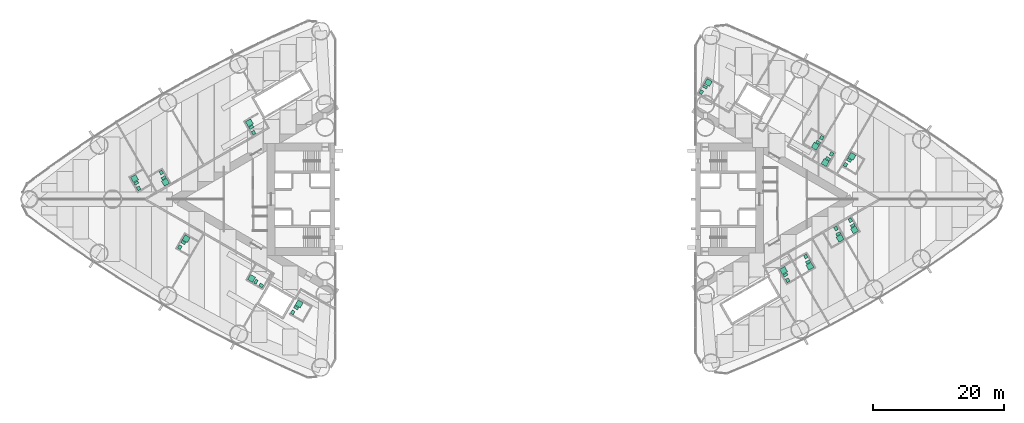
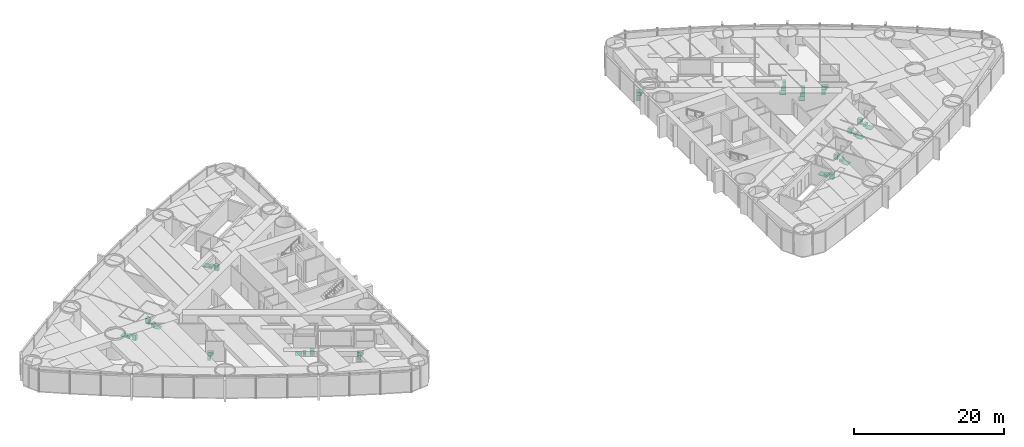
# One storey, part 19 of 19: 18 sanitary terminals.
"""IFC4 building model written with IfcOpenShell, lengths in metres."""

from ifc_helpers import new_model, si_unit, direction, frame, origin, origin_2d, place, context, subcontext, project, spatial, rectangle, extrude, material, type_object, element, save


model = new_model("IFC4")

# Units and contexts
model_context = context("Model", 3, precision=1e-05, world=origin(), true_north=direction((0.0, 1.0)))
body_context = subcontext(model_context, "Body", "Model", "MODEL_VIEW")
ifc_project = project(units=[si_unit("LENGTHUNIT", "METRE"), si_unit("AREAUNIT", "SQUARE_METRE"), si_unit("VOLUMEUNIT", "CUBIC_METRE"), si_unit("PLANEANGLEUNIT", "RADIAN"), si_unit("MASSUNIT", "GRAM", prefix="KILO")], contexts=[model_context])

# Site, building, storey
site_placement = place(None, origin())
site = spatial("IfcSite", under=ifc_project, at=site_placement, CompositionType="ELEMENT")
building_placement = place(site_placement, origin())
building = spatial("IfcBuilding", under=site, at=building_placement, Name="Lancet Gate Hotel", CompositionType="ELEMENT")
storey_placement = place(building_placement, frame((0.0, 0.0, 32.0)))
storey = spatial("IfcBuildingStorey", under=building, at=storey_placement, Name="L07", CompositionType="ELEMENT", Elevation=32.0)

# Sanitary terminals
ifc_material_1 = material(Name="Vitreous china sanitary ware")
sanitary_terminal_type_1 = type_object("IfcSanitaryTerminalType", Name="En-suite sanitary set (shower, WC, basin)", PredefinedType="USERDEFINED", material=ifc_material_1)
sanitary_terminal_1_placement = place(storey_placement, frame((-53.431396484375, 2.584716796875, 0.0), z_axis=(0.0, 0.0, 1.0), x_axis=(1.0, 0.0, 0.0)))
element("IfcSanitaryTerminal", 1, at=sanitary_terminal_1_placement, inside=storey, type_object=sanitary_terminal_type_1, Name="En-suite sanitary set (shower, WC, basin) 0703", ObjectType="EN-SUITE SANITARY SET", PredefinedType="USERDEFINED", context=body_context, shape_type="SweptSolid", body=[
    extrude(rectangle(XDim=0.89990234375, YDim=0.89990234375, at=origin_2d()), frame((0.0, 0.0, 0.0), z_axis=(0.0, 0.0, 1.0), x_axis=(0.5, -0.866025403784, 0.0)), (0.0, 0.0, 1.0), 0.050048828125),
    extrude(rectangle(XDim=0.39990234375, YDim=0.699951171875, at=origin_2d()), frame((-0.2783203125, 0.682373046875, 0.0), z_axis=(0.0, 0.0, 1.0), x_axis=(0.5, -0.866025403784, 0.0)), (0.0, 0.0, 1.0), 0.39990234375),
    extrude(rectangle(XDim=0.60009765625, YDim=0.5, at=origin_2d()), frame((-0.631591796875, 1.494384765625, 0.0), z_axis=(0.0, 0.0, 1.0), x_axis=(0.5, -0.866025403784, 0.0)), (0.0, 0.0, 1.0), 0.85009765625),
])
sanitary_terminal_2_placement = place(storey_placement, frame((-58.160888671875, 3.156494140625, 0.0), z_axis=(0.0, 0.0, 1.0), x_axis=(1.0, 0.0, 0.0)))
element("IfcSanitaryTerminal", 2, at=sanitary_terminal_2_placement, inside=storey, type_object=sanitary_terminal_type_1, Name="En-suite sanitary set (shower, WC, basin) 0704", ObjectType="EN-SUITE SANITARY SET", PredefinedType="USERDEFINED", context=body_context, shape_type="SweptSolid", body=[
    extrude(rectangle(XDim=0.89990234375, YDim=0.89990234375, at=origin_2d()), frame((0.0, 0.0, 0.0), z_axis=(0.0, 0.0, 1.0), x_axis=(-0.5, 0.866025403784, 0.0)), (0.0, 0.0, 1.0), 0.050048828125),
    extrude(rectangle(XDim=0.39990234375, YDim=0.699951171875, at=origin_2d()), frame((0.278564453125, -0.68212890625, 0.0), z_axis=(0.0, 0.0, 1.0), x_axis=(-0.5, 0.866025403784, 0.0)), (0.0, 0.0, 1.0), 0.39990234375),
    extrude(rectangle(XDim=0.60009765625, YDim=0.5, at=origin_2d()), frame((0.6318359375, -1.494140625, 0.0), z_axis=(0.0, 0.0, 1.0), x_axis=(-0.5, 0.866025403784, 0.0)), (0.0, 0.0, 1.0), 0.85009765625),
])
sanitary_terminal_3_placement = place(storey_placement, frame((-50.26171875, -6.031494140625, 0.0), z_axis=(0.0, 0.0, 1.0), x_axis=(1.0, 0.0, 0.0)))
element("IfcSanitaryTerminal", 3, at=sanitary_terminal_3_placement, inside=storey, type_object=sanitary_terminal_type_1, Name="En-suite sanitary set (shower, WC, basin) 0705", ObjectType="EN-SUITE SANITARY SET", PredefinedType="USERDEFINED", context=body_context, shape_type="SweptSolid", body=[
    extrude(rectangle(XDim=0.89990234375, YDim=0.89990234375, at=origin_2d()), frame((0.0, 0.0, 0.0), z_axis=(0.0, 0.0, 1.0), x_axis=(0.5, 0.866025403784, 0.0)), (0.0, 0.0, 1.0), 0.050048828125),
    extrude(rectangle(XDim=0.39990234375, YDim=0.699951171875, at=origin_2d()), frame((-0.451416015625, -0.58203125, 0.0), z_axis=(0.0, 0.0, 1.0), x_axis=(0.5, 0.866025403784, 0.0)), (0.0, 0.0, 1.0), 0.39990234375),
    extrude(rectangle(XDim=0.60009765625, YDim=0.5, at=origin_2d()), frame((-0.97802734375, -1.294189453125, 0.0), z_axis=(0.0, 0.0, 1.0), x_axis=(0.5, 0.866025403784, 0.0)), (0.0, 0.0, 1.0), 0.85009765625),
])
sanitary_terminal_4_placement = place(storey_placement, frame((-40.609619140625, 11.673095703125, 0.0), z_axis=(0.0, 0.0, 1.0), x_axis=(1.0, 0.0, 0.0)))
element("IfcSanitaryTerminal", 4, at=sanitary_terminal_4_placement, inside=storey, type_object=sanitary_terminal_type_1, Name="En-suite sanitary set (shower, WC, basin) 0702", ObjectType="EN-SUITE SANITARY SET", PredefinedType="USERDEFINED", context=body_context, shape_type="SweptSolid", body=[
    extrude(rectangle(XDim=0.89990234375, YDim=0.89990234375, at=origin_2d()), frame((0.0, 0.0, 0.0), z_axis=(0.0, 0.0, 1.0), x_axis=(-0.5, 0.866025403784, 0.0)), (0.0, 0.0, 1.0), 0.050048828125),
    extrude(rectangle(XDim=0.39990234375, YDim=0.699951171875, at=origin_2d()), frame((0.2783203125, -0.68212890625, 0.0), z_axis=(0.0, 0.0, 1.0), x_axis=(-0.5, 0.866025403784, 0.0)), (0.0, 0.0, 1.0), 0.39990234375),
    extrude(rectangle(XDim=0.60009765625, YDim=0.5, at=origin_2d()), frame((0.6318359375, -1.494140625, 0.0), z_axis=(0.0, 0.0, 1.0), x_axis=(-0.5, 0.866025403784, 0.0)), (0.0, 0.0, 1.0), 0.85009765625),
])
sanitary_terminal_5_placement = place(storey_placement, frame((-33.0107421875, -15.9912109375, 0.0), z_axis=(0.0, 0.0, 1.0), x_axis=(1.0, 0.0, 0.0)))
element("IfcSanitaryTerminal", 5, at=sanitary_terminal_5_placement, inside=storey, type_object=sanitary_terminal_type_1, Name="En-suite sanitary set (shower, WC, basin) 0708", ObjectType="EN-SUITE SANITARY SET", PredefinedType="USERDEFINED", context=body_context, shape_type="SweptSolid", body=[
    extrude(rectangle(XDim=0.89990234375, YDim=0.89990234375, at=origin_2d()), frame((0.0, 0.0, 0.0), z_axis=(0.0, 0.0, 1.0), x_axis=(0.5, 0.866025403784, 0.0)), (0.0, 0.0, 1.0), 0.050048828125),
    extrude(rectangle(XDim=0.39990234375, YDim=0.699951171875, at=origin_2d()), frame((-0.45166015625, -0.582275390625, 0.0), z_axis=(0.0, 0.0, 1.0), x_axis=(0.5, 0.866025403784, 0.0)), (0.0, 0.0, 1.0), 0.39990234375),
    extrude(rectangle(XDim=0.60009765625, YDim=0.5, at=origin_2d()), frame((-0.978271484375, -1.294189453125, 0.0), z_axis=(0.0, 0.0, 1.0), x_axis=(0.5, 0.866025403784, 0.0)), (0.0, 0.0, 1.0), 0.85009765625),
])
for number, where, z_axis, x_axis, name in (
    (6, (45.01220703125, -10.248046875, 0.0), (0.0, 0.0, 1.0), (1.0, 0.0, 0.0), "En-suite sanitary set (shower, WC, basin) 0754"),
    (7, (49.615966796875, -5.973388671875, 0.0), (0.0, 0.0, 1.0), (1.0, 0.0, 0.0), "En-suite sanitary set (shower, WC, basin) 0755"),
):
    element("IfcSanitaryTerminal", number, at=place(storey_placement, frame(where, z_axis=z_axis, x_axis=x_axis)), inside=storey, type_object=sanitary_terminal_type_1, Name=name, ObjectType="EN-SUITE SANITARY SET", PredefinedType="USERDEFINED", context=body_context, shape_type="SweptSolid", body=[
        extrude(rectangle(XDim=0.89990234375, YDim=0.89990234375, at=origin_2d()), frame((0.0, 0.0, 0.0), z_axis=(0.0, 0.0, 1.0), x_axis=(0.5, -0.866025403784, 0.0)), (0.0, 0.0, 1.0), 0.050048828125),
        extrude(rectangle(XDim=0.39990234375, YDim=0.699951171875, at=origin_2d()), frame((-0.278564453125, 0.68212890625, 0.0), z_axis=(0.0, 0.0, 1.0), x_axis=(0.5, -0.866025403784, 0.0)), (0.0, 0.0, 1.0), 0.39990234375),
        extrude(rectangle(XDim=0.60009765625, YDim=0.5, at=origin_2d()), frame((-0.6318359375, 1.494384765625, 0.0), z_axis=(0.0, 0.0, 1.0), x_axis=(0.5, -0.866025403784, 0.0)), (0.0, 0.0, 1.0), 0.85009765625),
    ])
sanitary_terminal_6_placement = place(storey_placement, frame((51.82421875, -4.698486328125, 0.0), z_axis=(0.0, 0.0, 1.0), x_axis=(1.0, 0.0, 0.0)))
element("IfcSanitaryTerminal", 8, at=sanitary_terminal_6_placement, inside=storey, type_object=sanitary_terminal_type_1, Name="En-suite sanitary set (shower, WC, basin) 0756", ObjectType="EN-SUITE SANITARY SET", PredefinedType="USERDEFINED", context=body_context, shape_type="SweptSolid", body=[
    extrude(rectangle(XDim=0.89990234375, YDim=0.89990234375, at=origin_2d()), frame((0.0, 0.0, 0.0), z_axis=(0.0, 0.0, 1.0), x_axis=(0.5, -0.866025403784, 0.0)), (0.0, 0.0, 1.0), 0.050048828125),
    extrude(rectangle(XDim=0.39990234375, YDim=0.699951171875, at=origin_2d()), frame((-0.2783203125, 0.682373046875, 0.0), z_axis=(0.0, 0.0, 1.0), x_axis=(0.5, -0.866025403784, 0.0)), (0.0, 0.0, 1.0), 0.39990234375),
    extrude(rectangle(XDim=0.60009765625, YDim=0.5, at=origin_2d()), frame((-0.6318359375, 1.494384765625, 0.0), z_axis=(0.0, 0.0, 1.0), x_axis=(0.5, -0.866025403784, 0.0)), (0.0, 0.0, 1.0), 0.85009765625),
])
sanitary_terminal_7_placement = place(storey_placement, frame((51.43310546875, 6.541015625, 0.0), z_axis=(0.0, 0.0, 1.0), x_axis=(1.0, 0.0, 0.0)))
element("IfcSanitaryTerminal", 9, at=sanitary_terminal_7_placement, inside=storey, type_object=sanitary_terminal_type_1, Name="En-suite sanitary set (shower, WC, basin) 0758", ObjectType="EN-SUITE SANITARY SET", PredefinedType="USERDEFINED", context=body_context, shape_type="SweptSolid", body=[
    extrude(rectangle(XDim=0.89990234375, YDim=0.89990234375, at=origin_2d()), frame((0.0, 0.0, 0.0), z_axis=(0.0, 0.0, 1.0), x_axis=(0.5, 0.866025403784, 0.0)), (0.0, 0.0, 1.0), 0.050048828125),
    extrude(rectangle(XDim=0.39990234375, YDim=0.699951171875, at=origin_2d()), frame((-0.45166015625, -0.582275390625, 0.0), z_axis=(0.0, 0.0, 1.0), x_axis=(0.5, 0.866025403784, 0.0)), (0.0, 0.0, 1.0), 0.39990234375),
    extrude(rectangle(XDim=0.60009765625, YDim=0.5, at=origin_2d()), frame((-0.978271484375, -1.29443359375, 0.0), z_axis=(0.0, 0.0, 1.0), x_axis=(0.5, 0.866025403784, 0.0)), (0.0, 0.0, 1.0), 0.85009765625),
])
sanitary_terminal_8_placement = place(storey_placement, frame((47.337646484375, 5.602783203125, 0.0), z_axis=(0.0, 0.0, 1.0), x_axis=(1.0, 0.0, 0.0)))
element("IfcSanitaryTerminal", 10, at=sanitary_terminal_8_placement, inside=storey, type_object=sanitary_terminal_type_1, Name="En-suite sanitary set (shower, WC, basin) 0760", ObjectType="EN-SUITE SANITARY SET", PredefinedType="USERDEFINED", context=body_context, shape_type="SweptSolid", body=[
    extrude(rectangle(XDim=0.89990234375, YDim=0.89990234375, at=origin_2d()), frame((0.0, 0.0, 0.0), z_axis=(0.0, 0.0, 1.0), x_axis=(-0.5, -0.866025403784, 0.0)), (0.0, 0.0, 1.0), 0.050048828125),
    extrude(rectangle(XDim=0.39990234375, YDim=0.699951171875, at=origin_2d()), frame((0.45166015625, 0.582275390625, 0.0), z_axis=(0.0, 0.0, 1.0), x_axis=(-0.5, -0.866025403784, 0.0)), (0.0, 0.0, 1.0), 0.39990234375),
    extrude(rectangle(XDim=0.60009765625, YDim=0.5, at=origin_2d()), frame((0.978271484375, 1.29443359375, 0.0), z_axis=(0.0, 0.0, 1.0), x_axis=(-0.5, -0.866025403784, 0.0)), (0.0, 0.0, 1.0), 0.85009765625),
])
sanitary_terminal_9_placement = place(storey_placement, frame((45.829345703125, 8.09033203125, 0.0), z_axis=(0.0, 0.0, 1.0), x_axis=(1.0, 0.0, 0.0)))
element("IfcSanitaryTerminal", 11, at=sanitary_terminal_9_placement, inside=storey, type_object=sanitary_terminal_type_1, Name="En-suite sanitary set (shower, WC, basin) 0761", ObjectType="EN-SUITE SANITARY SET", PredefinedType="USERDEFINED", context=body_context, shape_type="SweptSolid", body=[
    extrude(rectangle(XDim=0.89990234375, YDim=0.89990234375, at=origin_2d()), frame((0.0, 0.0, 0.0), z_axis=(0.0, 0.0, 1.0), x_axis=(-0.5, -0.866025403784, 0.0)), (0.0, 0.0, 1.0), 0.050048828125),
    extrude(rectangle(XDim=0.39990234375, YDim=0.699951171875, at=origin_2d()), frame((0.45166015625, 0.582275390625, 0.0), z_axis=(0.0, 0.0, 1.0), x_axis=(-0.5, -0.866025403784, 0.0)), (0.0, 0.0, 1.0), 0.39990234375),
    extrude(rectangle(XDim=0.60009765625, YDim=0.5, at=origin_2d()), frame((0.978271484375, 1.294189453125, 0.0), z_axis=(0.0, 0.0, 1.0), x_axis=(-0.5, -0.866025403784, 0.0)), (0.0, 0.0, 1.0), 0.85009765625),
])
sanitary_terminal_10_placement = place(storey_placement, frame((40.982666015625, -10.888671875, 0.0), z_axis=(0.0, 0.0, 1.0), x_axis=(1.0, 0.0, 0.0)))
element("IfcSanitaryTerminal", 12, at=sanitary_terminal_10_placement, inside=storey, type_object=sanitary_terminal_type_1, Name="En-suite sanitary set (shower, WC, basin) 0753", ObjectType="EN-SUITE SANITARY SET", PredefinedType="USERDEFINED", context=body_context, shape_type="SweptSolid", body=[
    extrude(rectangle(XDim=0.89990234375, YDim=0.89990234375, at=origin_2d()), frame((0.0, 0.0, 0.0), z_axis=(0.0, 0.0, 1.0), x_axis=(-0.5, 0.866025403784, 0.0)), (0.0, 0.0, 1.0), 0.050048828125),
    extrude(rectangle(XDim=0.39990234375, YDim=0.699951171875, at=origin_2d()), frame((0.2783203125, -0.68212890625, 0.0), z_axis=(0.0, 0.0, 1.0), x_axis=(-0.5, 0.866025403784, 0.0)), (0.0, 0.0, 1.0), 0.39990234375),
    extrude(rectangle(XDim=0.60009765625, YDim=0.5, at=origin_2d()), frame((0.6318359375, -1.494140625, 0.0), z_axis=(0.0, 0.0, 1.0), x_axis=(-0.5, 0.866025403784, 0.0)), (0.0, 0.0, 1.0), 0.85009765625),
])
ifc_material_2 = material(Name="Stone resin shower tray", Category="masonry")
sanitary_terminal_type_2 = type_object("IfcSanitaryTerminalType", Name="Shower tray 900", PredefinedType="SHOWER", material=ifc_material_2)
for number, where, z_axis, x_axis, name in (
    (13, (-40.2763671875, -12.0966796875, 0.0), (0.0, 0.0, 1.0), (-0.866025403784, 0.5, 0.0), "Shower tray 900 0707"),
    (14, (29.490478515625, 17.82373046875, 0.0), (0.0, 0.0, 1.0), (0.5, 0.866025403784, 0.0), "Shower tray 900 0764"),
):
    element("IfcSanitaryTerminal", number, at=place(storey_placement, frame(where, z_axis=z_axis, x_axis=x_axis)), inside=storey, type_object=sanitary_terminal_type_2, Name=name, PredefinedType="SHOWER", context=body_context, shape_type="SweptSolid", body=[
        extrude(rectangle(XDim=0.89990234375, YDim=0.89990234375, at=origin_2d()), origin(), (0.0, 0.0, 1.0), 0.050048828125),
    ])
ifc_material_3 = material(Name="Vitreous china sanitary ware")
sanitary_terminal_type_3 = type_object("IfcSanitaryTerminalType", Name="Vanity basin 600", PredefinedType="WASHHANDBASIN", material=ifc_material_3)
for number, where, z_axis, x_axis, name in (
    (15, (-38.808837890625, -13.1748046875, 0.0), (0.0, 0.0, 1.0), (-0.866025403784, 0.5, 0.0), "Vanity basin 600 0707"),
    (16, (28.412353515625, 16.356201171875, 0.0), (0.0, 0.0, 1.0), (0.5, 0.866025403784, 0.0), "Vanity basin 600 0764"),
):
    element("IfcSanitaryTerminal", number, at=place(storey_placement, frame(where, z_axis=z_axis, x_axis=x_axis)), inside=storey, type_object=sanitary_terminal_type_3, Name=name, PredefinedType="WASHHANDBASIN", context=body_context, shape_type="SweptSolid", body=[
        extrude(rectangle(XDim=0.60009765625, YDim=0.5, at=origin_2d()), origin(), (0.0, 0.0, 1.0), 0.85009765625),
    ])
ifc_material_4 = material(Name="Vitreous china sanitary ware")
sanitary_terminal_type_4 = type_object("IfcSanitaryTerminalType", Name="WC pan wall hung", PredefinedType="TOILETPAN", material=ifc_material_4)
for number, where, z_axis, x_axis, name in (
    (17, (-39.607421875, -12.59814453125, 0.0), (0.0, 0.0, 1.0), (-0.866025403784, 0.5, 0.0), "WC pan wall hung 0707"),
    (18, (28.989013671875, 17.155029296875, 0.0), (0.0, 0.0, 1.0), (0.5, 0.866025403784, 0.0), "WC pan wall hung 0764"),
):
    element("IfcSanitaryTerminal", number, at=place(storey_placement, frame(where, z_axis=z_axis, x_axis=x_axis)), inside=storey, type_object=sanitary_terminal_type_4, Name=name, PredefinedType="TOILETPAN", context=body_context, shape_type="SweptSolid", body=[
        extrude(rectangle(XDim=0.39990234375, YDim=0.699951171875, at=origin_2d()), origin(), (0.0, 0.0, 1.0), 0.39990234375),
    ])

save(model, "model.ifc")
